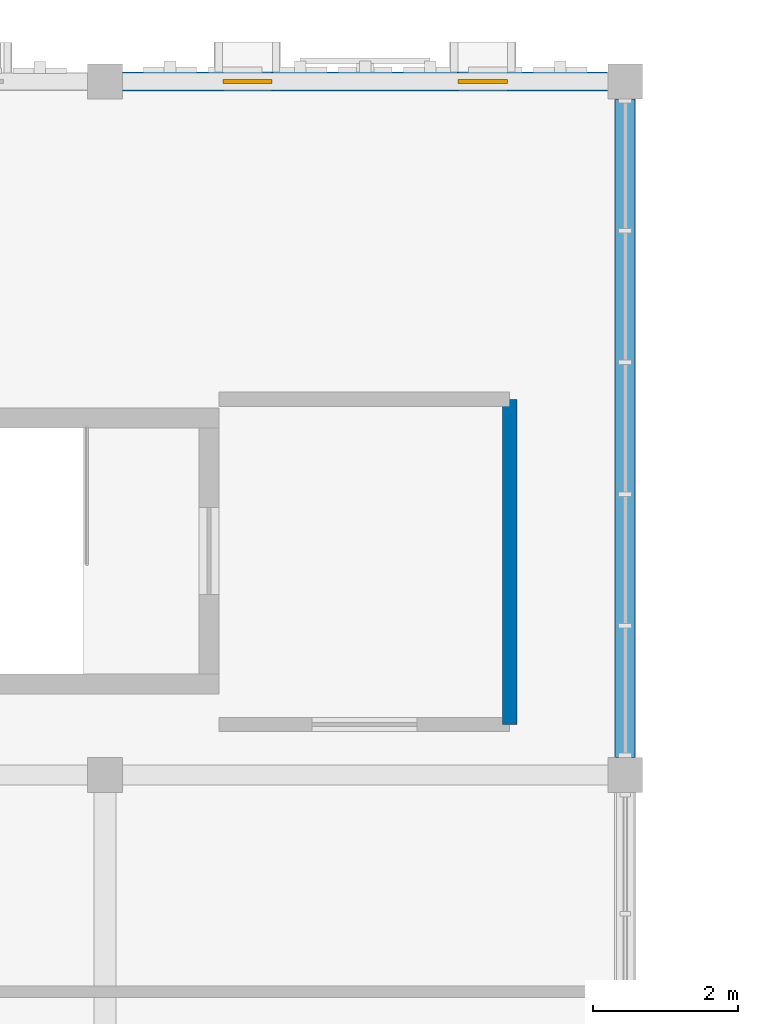
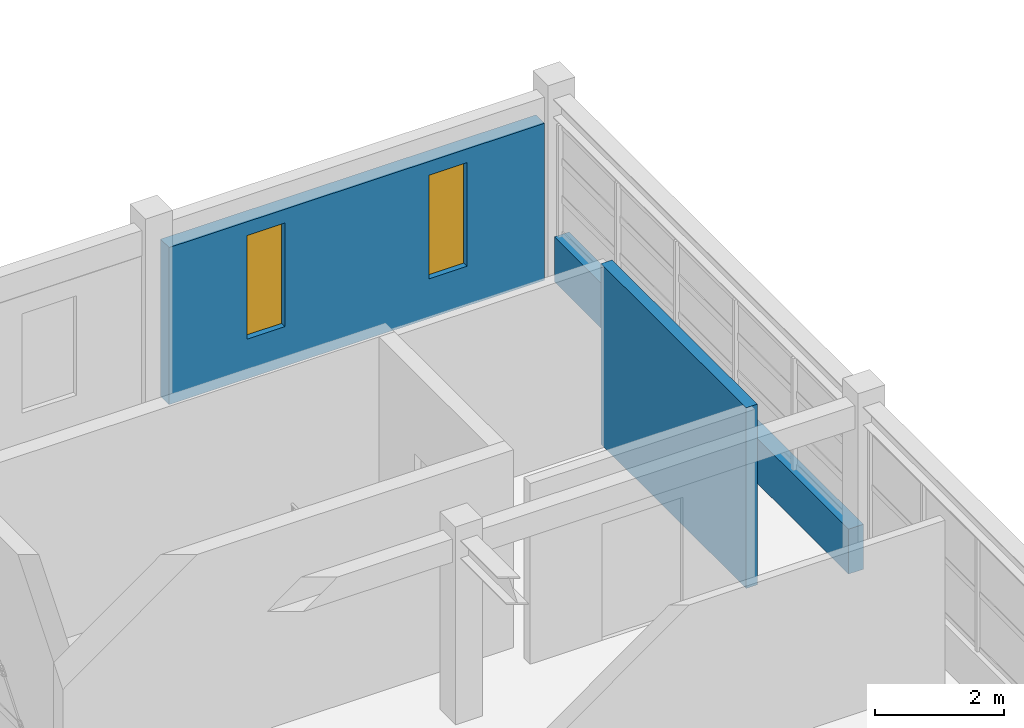
# One storey, part 29 of 53: 3 walls, 2 windows, 2 openings.
"""IFC4 building model written with IfcOpenShell, lengths in metres."""

from ifc_helpers import new_model, si_unit, direction, frame, frame_2d, origin, place, context, subcontext, project, spatial, rectangle, extrude, material, layer, layer_set, type_object, element, fill, save


model = new_model("IFC4")

# Units and contexts
model_context = context("Model", 3, precision=1e-05, world=origin(), true_north=direction((0.0, 1.0)))
body_context = subcontext(model_context, "Body", "Model", "MODEL_VIEW")
ifc_project = project(units=[si_unit("LENGTHUNIT", "METRE"), si_unit("AREAUNIT", "SQUARE_METRE"), si_unit("VOLUMEUNIT", "CUBIC_METRE"), si_unit("PLANEANGLEUNIT", "RADIAN"), si_unit("MASSUNIT", "GRAM", prefix="KILO")], contexts=[model_context])

# Site, building, storey
site_placement = place(None, origin())
site = spatial("IfcSite", under=ifc_project, at=site_placement, CompositionType="ELEMENT")
building_placement = place(site_placement, origin())
building = spatial("IfcBuilding", under=site, at=building_placement, Name="Nzembalo Square Collegiate School", CompositionType="ELEMENT")
storey_placement = place(building_placement, frame((0.0, 0.0, 13.60009765625)))
storey = spatial("IfcBuildingStorey", under=building, at=storey_placement, Name="L03", CompositionType="ELEMENT", Elevation=13.60009765625)

# Wall
ifc_material_1 = material(Name="Concrete C30/37", Category="concrete")
ifc_layer_1 = layer(ifc_material_1, 0.264892578125, Name="Concrete C30/37")
ifc_layer_set_1 = layer_set([ifc_layer_1], Name="Concrete C30/37")
wall_type_1 = type_object("IfcWallType", Name="W06", PredefinedType="SOLIDWALL", material=ifc_layer_set_1)
wall_1_placement = place(storey_placement, frame((91.199951171875, 104.64208984375, 0.0), z_axis=(0.0, 0.0, 1.0), x_axis=(0.0, 1.0, 0.0)))
element("IfcWall", 1, at=wall_1_placement, inside=storey, type_object=wall_type_1, Name="Spandrel wall W06 L03", PredefinedType="SOLIDWALL", context=body_context, shape_type="SweptSolid", body=[
    extrude(rectangle(XDim=9.115966796875, YDim=0.264892578125, at=frame_2d((4.55810546875, 0.0))), origin(), (0.0, 0.0, 1.0), 0.849853515625),
])

# Wall, openings, windows
wall_2_placement = place(storey_placement, frame((84.241943359375, 114.0, 0.0), z_axis=(0.0, 0.0, 1.0), x_axis=(1.0, 0.0, 0.0)))
wall_2 = element("IfcWall", 2, at=wall_2_placement, inside=storey, type_object=wall_type_1, Name="Exterior wall W06 L03", PredefinedType="SOLIDWALL", context=body_context, shape_type="SweptSolid", body=[
    extrude(rectangle(XDim=6.716064453125, YDim=0.264892578125, at=frame_2d((3.35791015625, 0.0))), origin(), (0.0, 0.0, 1.0), 2.968994140625),
])
opening_1_placement = place(wall_2_placement, frame((1.388916015625, 0.0, 0.75)))
opening_1 = element("IfcOpeningElement", 3, at=opening_1_placement, cuts=wall_2, Name="Opening WN-L03-799", PredefinedType="OPENING", context=body_context, shape_type="SweptSolid", body=[
    extrude(rectangle(XDim=0.679931640625, YDim=1.9599609375, at=frame_2d((0.33984375, 0.97998046875))), frame((0.0, 0.142578125, 0.0), z_axis=(0.0, -1.0, 0.0), x_axis=(1.0, 0.0, 0.0)), (0.0, 0.0, 1.0), 0.284912109375),
])
opening_2_placement = place(wall_2_placement, frame((4.64697265625, 0.0, 0.75)))
opening_2 = element("IfcOpeningElement", 4, at=opening_2_placement, cuts=wall_2, Name="Opening WN-L03-800", PredefinedType="OPENING", context=body_context, shape_type="SweptSolid", body=[
    extrude(rectangle(XDim=0.679931640625, YDim=1.9599609375, at=frame_2d((0.33984375, 0.97998046875))), frame((0.0, 0.142578125, 0.0), z_axis=(0.0, -1.0, 0.0), x_axis=(1.0, 0.0, 0.0)), (0.0, 0.0, 1.0), 0.284912109375),
])
ifc_material_2 = material(Name="Powder-coated aluminium and low-E double glazing", Category="aluminium")
window_type = type_object("IfcWindowType", Name="WN60", PartitioningType="SINGLE_PANEL", PredefinedType="WINDOW", material=ifc_material_2)
window_1_placement = place(opening_1_placement, origin())
window_1 = element("IfcWindow", 5, at=window_1_placement, inside=storey, type_object=window_type, Name="Lancet window WN-L03-799", OverallHeight=1.9599609375, OverallWidth=0.679931640625, PartitioningType="SINGLE_PANEL", PredefinedType="WINDOW", context=body_context, shape_type="SweptSolid", body=[
    extrude(rectangle(XDim=0.679931640625, YDim=1.9599609375, at=frame_2d((0.33984375, 0.97998046875))), frame((0.0, 0.030029296875, 0.0), z_axis=(0.0, -1.0, 0.0), x_axis=(1.0, 0.0, 0.0)), (0.0, 0.0, 1.0), 0.06005859375),
])
fill(opening_1, window_1)
window_2_placement = place(opening_2_placement, origin())
window_2 = element("IfcWindow", 6, at=window_2_placement, inside=storey, type_object=window_type, Name="Lancet window WN-L03-800", OverallHeight=1.9599609375, OverallWidth=0.679931640625, PartitioningType="SINGLE_PANEL", PredefinedType="WINDOW", context=body_context, shape_type="SweptSolid", body=[
    extrude(rectangle(XDim=0.679931640625, YDim=1.9599609375, at=frame_2d((0.33984375, 0.97998046875))), frame((0.0, 0.030029296875, 0.0), z_axis=(0.0, -1.0, 0.0), x_axis=(1.0, 0.0, 0.0)), (0.0, 0.0, 1.0), 0.06005859375),
])
fill(opening_2, window_2)

# Wall
ifc_material_3 = material(Name="Concrete blockwork C25/30", Category="masonry")
ifc_layer_2 = layer(ifc_material_3, 0.199951171875, Name="Concrete blockwork C25/30")
ifc_layer_set_2 = layer_set([ifc_layer_2], Name="Concrete blockwork C25/30")
wall_type_2 = type_object("IfcWallType", Name="W11", PredefinedType="PARTITIONING", material=ifc_layer_set_2)
wall_3_placement = place(storey_placement, frame((89.60009765625, 105.10009765625, 0.0), z_axis=(0.0, 0.0, 1.0), x_axis=(0.0, 1.0, 0.0)))
element("IfcWall", 7, at=wall_3_placement, inside=storey, type_object=wall_type_2, Name="Core C3 EI 60 lobby wall E L03", PredefinedType="PARTITIONING", context=body_context, shape_type="SweptSolid", body=[
    extrude(rectangle(XDim=4.5, YDim=0.199951171875, at=frame_2d((2.25, 0.0))), origin(), (0.0, 0.0, 1.0), 3.413818359375),
])

save(model, "model.ifc")
